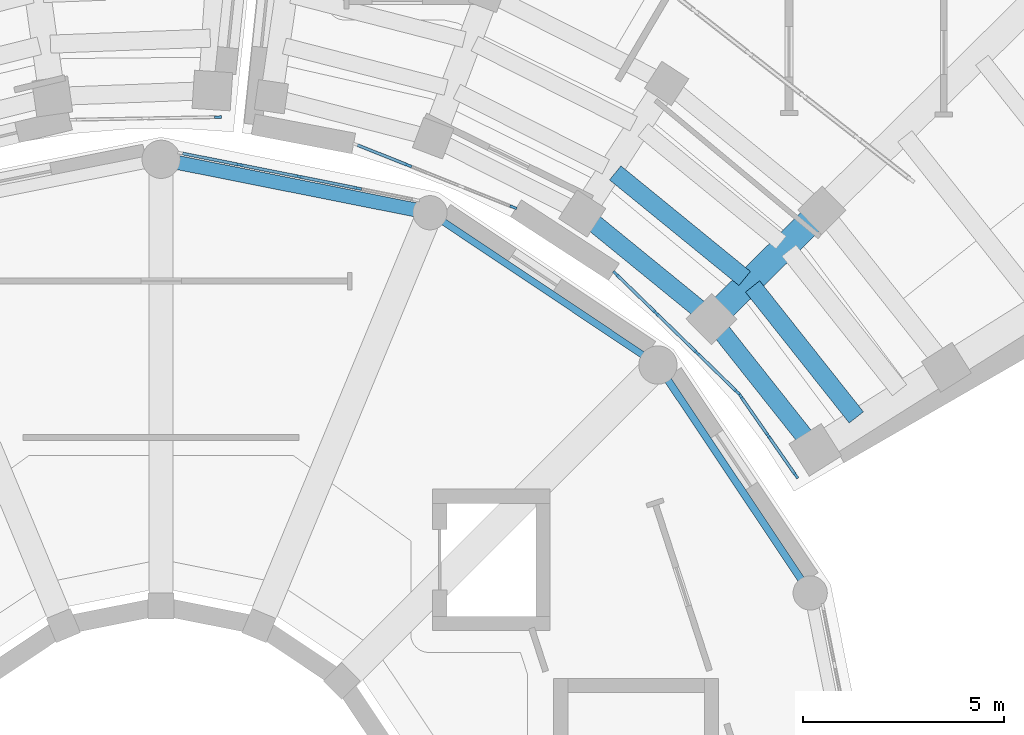
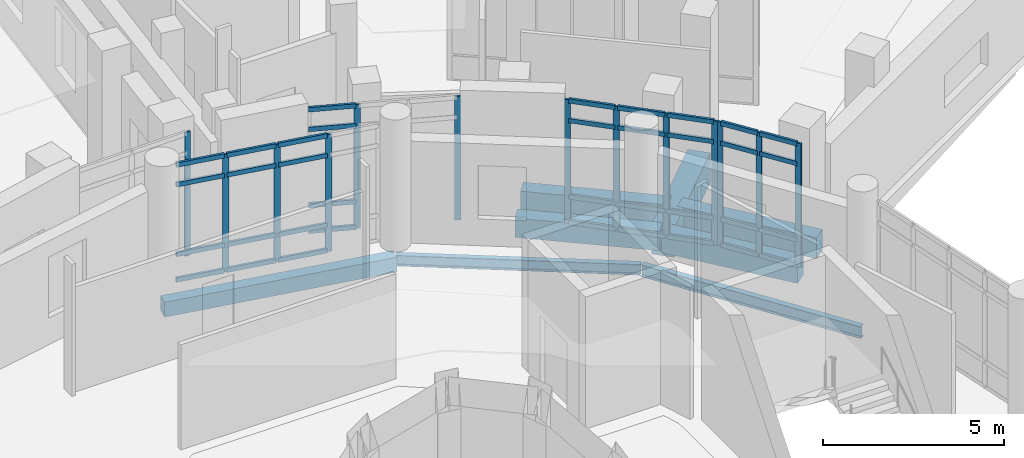
# One storey, part 21 of 75: 49 members, 8 beams, 5 elements without a shape of their own.
"""IFC4 building model written with IfcOpenShell, lengths in metres."""

from ifc_helpers import new_model, si_unit, direction, frame, origin, origin_2d, place, context, subcontext, project, spatial, rectangle, i_section, extrude, material, material_profile, profile_set, type_object, element, aggregate, save


model = new_model("IFC4")

# Units and contexts
model_context = context("Model", 3, precision=1e-05, world=origin(), true_north=direction((0.0, 1.0)))
body_context = subcontext(model_context, "Body", "Model", "MODEL_VIEW")
ifc_project = project(units=[si_unit("LENGTHUNIT", "METRE"), si_unit("AREAUNIT", "SQUARE_METRE"), si_unit("VOLUMEUNIT", "CUBIC_METRE"), si_unit("PLANEANGLEUNIT", "RADIAN"), si_unit("MASSUNIT", "GRAM", prefix="KILO")], contexts=[model_context])

# Site, building, storey
site_placement = place(None, origin())
site = spatial("IfcSite", under=ifc_project, at=site_placement, CompositionType="ELEMENT")
building_placement = place(site_placement, origin())
building = spatial("IfcBuilding", under=site, at=building_placement, Name="Soyqirgoq Riverine Aquarium", CompositionType="ELEMENT")
storey_placement = place(building_placement, frame((0.0, 0.0, 10.199951171875)))
storey = spatial("IfcBuildingStorey", under=building, at=storey_placement, Name="L03", CompositionType="ELEMENT", Elevation=10.199951171875)

# Beams
ifc_material_1 = material(Name="Concrete C40/50", Category="concrete")
ifc_material_profile_1 = material_profile(ifc_material_1, rectangle(XDim=0.449951171875, YDim=0.64990234375, at=origin_2d()), Name="RC 450x650")
ifc_profile_set_1 = profile_set([ifc_material_profile_1], Name="Concrete C40/50")
beam_type_1 = type_object("IfcBeamType", Name="Beam_RC_450x650", PredefinedType="BEAM", material=ifc_profile_set_1)
beam_1_placement = place(storey_placement, frame((69.632080078125, 70.512939453125, -0.625), z_axis=(-0.774942773491, 0.632031405719, 0.0), x_axis=(-0.632031405719, -0.774942773491, 0.0)))
element("IfcBeam", 1, at=beam_1_placement, inside=storey, type_object=beam_type_1, Name="V5 L03 Wedge Chord Beam 0866", PredefinedType="BEAM", context=body_context, shape_type="SweptSolid", body=[
    extrude(rectangle(XDim=0.449951171875, YDim=0.64990234375, at=origin_2d()), origin(), (0.0, 0.0, 1.0), 4.047119140625),
])
beam_2_placement = place(storey_placement, frame((70.494384765625, 71.489013671875, -0.625), z_axis=(-0.774939332503, 0.63203562474, 0.0), x_axis=(-0.63203562474, -0.774939332503, 0.0)))
element("IfcBeam", 2, at=beam_2_placement, inside=storey, type_object=beam_type_1, Name="V5 L03 Secondary Floor Joist 0871", PredefinedType="BEAM", context=body_context, shape_type="SweptSolid", body=[
    extrude(rectangle(XDim=0.449951171875, YDim=0.64990234375, at=origin_2d()), origin(), (0.0, 0.0, 1.0), 4.149658203125),
])
ifc_material_2 = material(Name="Concrete C40/50", Category="concrete")
ifc_material_profile_2 = material_profile(ifc_material_2, rectangle(XDim=0.449951171875, YDim=0.699951171875, at=origin_2d()), Name="RC 450x700")
ifc_profile_set_2 = profile_set([ifc_material_profile_2], Name="Concrete C40/50")
beam_type_2 = type_object("IfcBeamType", Name="Beam_RC_450x700", PredefinedType="BEAM", material=ifc_profile_set_2)
beam_3_placement = place(storey_placement, frame((72.2158203125, 67.2705078125, -0.64990234375), z_axis=(-0.621164833429, 0.783679940863, 0.0), x_axis=(-0.783679940863, -0.621164833429, 0.0)))
element("IfcBeam", 3, at=beam_3_placement, inside=storey, type_object=beam_type_2, Name="V5 L03 Wedge Chord Beam 0865", PredefinedType="BEAM", context=body_context, shape_type="SweptSolid", body=[
    extrude(rectangle(XDim=0.449951171875, YDim=0.699951171875, at=origin_2d()), origin(), (0.0, 0.0, 1.0), 4.047119140625),
])
beam_4_placement = place(storey_placement, frame((73.267578125, 68.03857421875, -0.64990234375), z_axis=(-0.621144365727, 0.783696163653, 0.0), x_axis=(-0.783696163653, -0.621144365727, 0.0)))
element("IfcBeam", 4, at=beam_4_placement, inside=storey, type_object=beam_type_2, Name="V5 L03 Secondary Floor Joist 0869", PredefinedType="BEAM", context=body_context, shape_type="SweptSolid", body=[
    extrude(rectangle(XDim=0.449951171875, YDim=0.699951171875, at=origin_2d()), origin(), (0.0, 0.0, 1.0), 4.14990234375),
])

# Curtain wall, members
ifc_material_3 = material(Name="Anodised aluminium thermally broken triple low-E glazing", Category="aluminium")
curtain_wall_type_1 = type_object("IfcCurtainWallType", Name="CW_DrumGallery_Unitised", PredefinedType="NOTDEFINED", material=ifc_material_3)
curtain_wall_1_placement = place(storey_placement, origin())
curtain_wall_1 = element("IfcCurtainWall", 5, at=curtain_wall_1_placement, inside=storey, type_object=curtain_wall_type_1, Name="V1 L03 Curtain Wall 014", PredefinedType="NOTDEFINED")
ifc_material_4 = material(Name="Anodised aluminium 6063-T6", Category="aluminium")
ifc_material_profile_3 = material_profile(ifc_material_4, rectangle(XDim=0.06494140625, YDim=0.179931640625, at=origin_2d()), Name="ALU-M 65x180")
ifc_profile_set_3 = profile_set([ifc_material_profile_3], Name="Anodised aluminium 6063-T6")
member_type_1 = type_object("IfcMemberType", Name="CWMullion_65x180", PredefinedType="MULLION", material=ifc_profile_set_3)
member_1_placement = place(storey_placement, frame((60.888427734375, 73.7275390625, 0.0), z_axis=(0.0, 0.0, 1.0), x_axis=(-0.195094927919, -0.980784364221, 0.0)))
member_1 = element("IfcMember", 6, at=member_1_placement, type_object=member_type_1, Name="CW-01 mullion 2", PredefinedType="MULLION", context=body_context, shape_type="SweptSolid", body=[
    extrude(rectangle(XDim=0.06494140625, YDim=0.179931640625, at=origin_2d()), origin(), (0.0, 0.0, 1.0), 3.949951171875),
])
member_2_placement = place(storey_placement, frame((59.415283203125, 74.020751953125, 0.0), z_axis=(0.0, 0.0, 1.0), x_axis=(-0.195094927919, -0.980784364221, 0.0)))
member_2 = element("IfcMember", 7, at=member_2_placement, type_object=member_type_1, Name="CW-01 mullion 3", PredefinedType="MULLION", context=body_context, shape_type="SweptSolid", body=[
    extrude(rectangle(XDim=0.06494140625, YDim=0.179931640625, at=origin_2d()), origin(), (0.0, 0.0, 1.0), 3.949951171875),
])
member_3_placement = place(storey_placement, frame((57.942138671875, 74.313720703125, 0.0), z_axis=(0.0, 0.0, 1.0), x_axis=(-0.195094927919, -0.980784364221, 0.0)))
member_3 = element("IfcMember", 8, at=member_3_placement, type_object=member_type_1, Name="CW-01 mullion 4", PredefinedType="MULLION", context=body_context, shape_type="SweptSolid", body=[
    extrude(rectangle(XDim=0.06494140625, YDim=0.179931640625, at=origin_2d()), origin(), (0.0, 0.0, 1.0), 3.949951171875),
])

# Curtain wall, member
ifc_material_5 = material(Name="Anodised aluminium thermally broken double low-E glazing", Category="aluminium")
curtain_wall_type_2 = type_object("IfcCurtainWallType", Name="CW_Wedge_NorthBay", PredefinedType="NOTDEFINED", material=ifc_material_5)
curtain_wall_2_placement = place(storey_placement, origin())
curtain_wall_2 = element("IfcCurtainWall", 9, at=curtain_wall_2_placement, inside=storey, type_object=curtain_wall_type_2, Name="V4 L03 Curtain Wall 090", PredefinedType="NOTDEFINED")
member_4_placement = place(storey_placement, frame((57.409423828125, 75.498046875, 0.0), z_axis=(0.0, 0.0, 1.0), x_axis=(0.018005266273, -0.999837892054, 0.0)))
member_4 = element("IfcMember", 10, at=member_4_placement, type_object=member_type_1, Name="CW-03 mullion 1", PredefinedType="MULLION", context=body_context, shape_type="SweptSolid", body=[
    extrude(rectangle(XDim=0.06494140625, YDim=0.179931640625, at=origin_2d()), origin(), (0.0, 0.0, 1.0), 4.170166015625),
])
aggregate(curtain_wall_2, [member_4])

# Curtain wall, members
curtain_wall_3_placement = place(storey_placement, origin())
curtain_wall_3 = element("IfcCurtainWall", 11, at=curtain_wall_3_placement, inside=storey, type_object=curtain_wall_type_2, Name="V5 L03 Curtain Wall 096", PredefinedType="NOTDEFINED")
member_5_placement = place(storey_placement, frame((70.302001953125, 68.67431640625, 0.0), z_axis=(0.0, 0.0, 1.0), x_axis=(-0.697789725997, -0.716302658304, 0.0)))
member_5 = element("IfcMember", 12, at=member_5_placement, type_object=member_type_1, Name="CW-03 mullion 1", PredefinedType="MULLION", context=body_context, shape_type="SweptSolid", body=[
    extrude(rectangle(XDim=0.06494140625, YDim=0.179931640625, at=origin_2d()), origin(), (0.0, 0.0, 1.0), 4.170166015625),
])
member_6_placement = place(storey_placement, frame((69.307861328125, 69.642822265625, 0.0), z_axis=(0.0, 0.0, 1.0), x_axis=(-0.697789725997, -0.716302658304, 0.0)))
member_6 = element("IfcMember", 13, at=member_6_placement, type_object=member_type_1, Name="CW-03 mullion 2", PredefinedType="MULLION", context=body_context, shape_type="SweptSolid", body=[
    extrude(rectangle(XDim=0.06494140625, YDim=0.179931640625, at=origin_2d()), origin(), (0.0, 0.0, 1.0), 4.170166015625),
])
member_7_placement = place(storey_placement, frame((68.290283203125, 70.63427734375, 0.0), z_axis=(0.0, 0.0, 1.0), x_axis=(-0.697789725997, -0.716302658304, 0.0)))
member_7 = element("IfcMember", 14, at=member_7_placement, type_object=member_type_1, Name="CW-03 mullion 3", PredefinedType="MULLION", context=body_context, shape_type="SweptSolid", body=[
    extrude(rectangle(XDim=0.06494140625, YDim=0.179931640625, at=origin_2d()), origin(), (0.0, 0.0, 1.0), 4.170166015625),
])
member_8_placement = place(storey_placement, frame((67.2958984375, 71.602783203125, 0.0), z_axis=(0.0, 0.0, 1.0), x_axis=(-0.697789725997, -0.716302658304, 0.0)))
member_8 = element("IfcMember", 15, at=member_8_placement, type_object=member_type_1, Name="CW-03 mullion 4", PredefinedType="MULLION", context=body_context, shape_type="SweptSolid", body=[
    extrude(rectangle(XDim=0.06494140625, YDim=0.179931640625, at=origin_2d()), origin(), (0.0, 0.0, 1.0), 4.170166015625),
])

curtain_wall_4_placement = place(storey_placement, origin())
curtain_wall_4 = element("IfcCurtainWall", 16, at=curtain_wall_4_placement, inside=storey, type_object=curtain_wall_type_2, Name="V5 L03 Curtain Wall 097", PredefinedType="NOTDEFINED")
member_9_placement = place(storey_placement, frame((64.745849609375, 73.2587890625, 0.0), z_axis=(0.0, 0.0, 1.0), x_axis=(-0.37056928591, -0.928804825752, 0.0)))
member_9 = element("IfcMember", 17, at=member_9_placement, type_object=member_type_1, Name="CW-03 mullion 1", PredefinedType="MULLION", context=body_context, shape_type="SweptSolid", body=[
    extrude(rectangle(XDim=0.06494140625, YDim=0.179931640625, at=origin_2d()), origin(), (0.0, 0.0, 1.0), 4.170166015625),
])
member_10_placement = place(storey_placement, frame((62.136962890625, 74.299560546875, 0.0), z_axis=(0.0, 0.0, 1.0), x_axis=(-0.37056928591, -0.928804825752, 0.0)))
member_10 = element("IfcMember", 18, at=member_10_placement, type_object=member_type_1, Name="CW-03 mullion 3", PredefinedType="MULLION", context=body_context, shape_type="SweptSolid", body=[
    extrude(rectangle(XDim=0.06494140625, YDim=0.179931640625, at=origin_2d()), origin(), (0.0, 0.0, 1.0), 4.170166015625),
])

curtain_wall_5_placement = place(storey_placement, origin())
curtain_wall_5 = element("IfcCurtainWall", 19, at=curtain_wall_5_placement, inside=storey, type_object=curtain_wall_type_2, Name="V5 L03 Curtain Wall 098", PredefinedType="NOTDEFINED")
member_11_placement = place(storey_placement, frame((71.761962890625, 66.599365234375, 0.0), z_axis=(0.0, 0.0, 1.0), x_axis=(-0.820955773549, -0.570991784421, 0.0)))
member_11 = element("IfcMember", 20, at=member_11_placement, type_object=member_type_1, Name="CW-03 mullion 1", PredefinedType="MULLION", context=body_context, shape_type="SweptSolid", body=[
    extrude(rectangle(XDim=0.06494140625, YDim=0.179931640625, at=origin_2d()), origin(), (0.0, 0.0, 1.0), 4.170166015625),
])
member_12_placement = place(storey_placement, frame((71.078857421875, 67.581787109375, 0.0), z_axis=(0.0, 0.0, 1.0), x_axis=(-0.820955773549, -0.570991784421, 0.0)))
member_12 = element("IfcMember", 21, at=member_12_placement, type_object=member_type_1, Name="CW-03 mullion 2", PredefinedType="MULLION", context=body_context, shape_type="SweptSolid", body=[
    extrude(rectangle(XDim=0.06494140625, YDim=0.179931640625, at=origin_2d()), origin(), (0.0, 0.0, 1.0), 4.170166015625),
])
member_13_placement = place(storey_placement, frame((70.3955078125, 68.564208984375, 0.0), z_axis=(0.0, 0.0, 1.0), x_axis=(-0.820955773549, -0.570991784421, 0.0)))
member_13 = element("IfcMember", 22, at=member_13_placement, type_object=member_type_1, Name="CW-03 mullion 3", PredefinedType="MULLION", context=body_context, shape_type="SweptSolid", body=[
    extrude(rectangle(XDim=0.06494140625, YDim=0.179931640625, at=origin_2d()), origin(), (0.0, 0.0, 1.0), 4.170166015625),
])

# Member
ifc_material_6 = material(Name="Anodised aluminium 6063-T6", Category="aluminium")
ifc_material_profile_4 = material_profile(ifc_material_6, rectangle(XDim=0.074951171875, YDim=0.14990234375, at=origin_2d()), Name="ALU-T 75x150")
ifc_profile_set_4 = profile_set([ifc_material_profile_4], Name="Anodised aluminium 6063-T6")
member_type_2 = type_object("IfcMemberType", Name="CWTransom_75x150", PredefinedType="USERDEFINED", material=ifc_profile_set_4)
member_14_placement = place(storey_placement, frame((60.8564453125, 73.73388671875, 0.03759765625), z_axis=(-0.980756730309, 0.195233798185, 0.0), x_axis=(-0.195233798185, -0.980756730309, 0.0)))
member_14 = element("IfcMember", 23, at=member_14_placement, type_object=member_type_2, Name="CW-01 transom 2.1", ObjectType="TRANSOM", PredefinedType="USERDEFINED", context=body_context, shape_type="SweptSolid", body=[
    extrude(rectangle(XDim=0.074951171875, YDim=0.14990234375, at=origin_2d()), origin(), (0.0, 0.0, 1.0), 1.436767578125),
])

member_15_placement = place(storey_placement, frame((60.8564453125, 73.73388671875, 0.900146484375), z_axis=(-0.980756730309, 0.195233798185, 0.0), x_axis=(-0.195233798185, -0.980756730309, 0.0)))
member_15 = element("IfcMember", 24, at=member_15_placement, type_object=member_type_2, Name="CW-01 transom 2.2", ObjectType="TRANSOM", PredefinedType="USERDEFINED", context=body_context, shape_type="SweptSolid", body=[
    extrude(rectangle(XDim=0.074951171875, YDim=0.14990234375, at=origin_2d()), origin(), (0.0, 0.0, 1.0), 1.436767578125),
])

member_16_placement = place(storey_placement, frame((60.8564453125, 73.73388671875, 3.25), z_axis=(-0.980756730309, 0.195233798185, 0.0), x_axis=(-0.195233798185, -0.980756730309, 0.0)))
member_16 = element("IfcMember", 25, at=member_16_placement, type_object=member_type_2, Name="CW-01 transom 2.3", ObjectType="TRANSOM", PredefinedType="USERDEFINED", context=body_context, shape_type="SweptSolid", body=[
    extrude(rectangle(XDim=0.074951171875, YDim=0.14990234375, at=origin_2d()), origin(), (0.0, 0.0, 1.0), 1.436767578125),
])

member_17_placement = place(storey_placement, frame((60.8564453125, 73.73388671875, 3.91259765625), z_axis=(-0.980756730309, 0.195233798185, 0.0), x_axis=(-0.195233798185, -0.980756730309, 0.0)))
member_17 = element("IfcMember", 26, at=member_17_placement, type_object=member_type_2, Name="CW-01 transom 2.4", ObjectType="TRANSOM", PredefinedType="USERDEFINED", context=body_context, shape_type="SweptSolid", body=[
    extrude(rectangle(XDim=0.074951171875, YDim=0.14990234375, at=origin_2d()), origin(), (0.0, 0.0, 1.0), 1.436767578125),
])

member_18_placement = place(storey_placement, frame((59.383544921875, 74.027099609375, 0.03759765625), z_axis=(-0.980795717131, 0.195037845707, 0.0), x_axis=(-0.195037845707, -0.980795717131, 0.0)))
member_18 = element("IfcMember", 27, at=member_18_placement, type_object=member_type_2, Name="CW-01 transom 3.1", ObjectType="TRANSOM", PredefinedType="USERDEFINED", context=body_context, shape_type="SweptSolid", body=[
    extrude(rectangle(XDim=0.074951171875, YDim=0.14990234375, at=origin_2d()), origin(), (0.0, 0.0, 1.0), 1.43701171875),
])

member_19_placement = place(storey_placement, frame((59.383544921875, 74.027099609375, 0.900146484375), z_axis=(-0.980795717131, 0.195037845707, 0.0), x_axis=(-0.195037845707, -0.980795717131, 0.0)))
member_19 = element("IfcMember", 28, at=member_19_placement, type_object=member_type_2, Name="CW-01 transom 3.2", ObjectType="TRANSOM", PredefinedType="USERDEFINED", context=body_context, shape_type="SweptSolid", body=[
    extrude(rectangle(XDim=0.074951171875, YDim=0.14990234375, at=origin_2d()), origin(), (0.0, 0.0, 1.0), 1.43701171875),
])

member_20_placement = place(storey_placement, frame((59.383544921875, 74.027099609375, 3.25), z_axis=(-0.980795717131, 0.195037845707, 0.0), x_axis=(-0.195037845707, -0.980795717131, 0.0)))
member_20 = element("IfcMember", 29, at=member_20_placement, type_object=member_type_2, Name="CW-01 transom 3.3", ObjectType="TRANSOM", PredefinedType="USERDEFINED", context=body_context, shape_type="SweptSolid", body=[
    extrude(rectangle(XDim=0.074951171875, YDim=0.14990234375, at=origin_2d()), origin(), (0.0, 0.0, 1.0), 1.43701171875),
])

member_21_placement = place(storey_placement, frame((59.383544921875, 74.027099609375, 3.91259765625), z_axis=(-0.980795717131, 0.195037845707, 0.0), x_axis=(-0.195037845707, -0.980795717131, 0.0)))
member_21 = element("IfcMember", 30, at=member_21_placement, type_object=member_type_2, Name="CW-01 transom 3.4", ObjectType="TRANSOM", PredefinedType="USERDEFINED", context=body_context, shape_type="SweptSolid", body=[
    extrude(rectangle(XDim=0.074951171875, YDim=0.14990234375, at=origin_2d()), origin(), (0.0, 0.0, 1.0), 1.43701171875),
])

member_22_placement = place(storey_placement, frame((57.910400390625, 74.320068359375, 0.03759765625), z_axis=(-0.980794046625, 0.195046246068, 0.0), x_axis=(-0.195046246068, -0.980794046625, 0.0)))
member_22 = element("IfcMember", 31, at=member_22_placement, type_object=member_type_2, Name="CW-01 transom 4.1", ObjectType="TRANSOM", PredefinedType="USERDEFINED", context=body_context, shape_type="SweptSolid", body=[
    extrude(rectangle(XDim=0.074951171875, YDim=0.14990234375, at=origin_2d()), origin(), (0.0, 0.0, 1.0), 1.404296875),
])

member_23_placement = place(storey_placement, frame((57.910400390625, 74.320068359375, 0.900146484375), z_axis=(-0.980794046625, 0.195046246068, 0.0), x_axis=(-0.195046246068, -0.980794046625, 0.0)))
member_23 = element("IfcMember", 32, at=member_23_placement, type_object=member_type_2, Name="CW-01 transom 4.2", ObjectType="TRANSOM", PredefinedType="USERDEFINED", context=body_context, shape_type="SweptSolid", body=[
    extrude(rectangle(XDim=0.074951171875, YDim=0.14990234375, at=origin_2d()), origin(), (0.0, 0.0, 1.0), 1.404296875),
])

member_24_placement = place(storey_placement, frame((57.910400390625, 74.320068359375, 3.25), z_axis=(-0.980794046625, 0.195046246068, 0.0), x_axis=(-0.195046246068, -0.980794046625, 0.0)))
member_24 = element("IfcMember", 33, at=member_24_placement, type_object=member_type_2, Name="CW-01 transom 4.3", ObjectType="TRANSOM", PredefinedType="USERDEFINED", context=body_context, shape_type="SweptSolid", body=[
    extrude(rectangle(XDim=0.074951171875, YDim=0.14990234375, at=origin_2d()), origin(), (0.0, 0.0, 1.0), 1.404296875),
])

member_25_placement = place(storey_placement, frame((57.910400390625, 74.320068359375, 3.91259765625), z_axis=(-0.980794046625, 0.195046246068, 0.0), x_axis=(-0.195046246068, -0.980794046625, 0.0)))
member_25 = element("IfcMember", 34, at=member_25_placement, type_object=member_type_2, Name="CW-01 transom 4.4", ObjectType="TRANSOM", PredefinedType="USERDEFINED", context=body_context, shape_type="SweptSolid", body=[
    extrude(rectangle(XDim=0.074951171875, YDim=0.14990234375, at=origin_2d()), origin(), (0.0, 0.0, 1.0), 1.404296875),
])

aggregate(curtain_wall_1, [member_1, member_2, member_3, member_14, member_15, member_16, member_17, member_18, member_19, member_20, member_21, member_22, member_23, member_24, member_25])

member_26_placement = place(storey_placement, frame((70.27880859375, 68.697021484375, 0.03759765625), z_axis=(-0.716364381709, 0.697726359413, 0.0), x_axis=(-0.697726359413, -0.716364381709, 0.0)))
member_26 = element("IfcMember", 35, at=member_26_placement, type_object=member_type_2, Name="CW-03 transom 1.1", ObjectType="TRANSOM", PredefinedType="USERDEFINED", context=body_context, shape_type="SweptSolid", body=[
    extrude(rectangle(XDim=0.074951171875, YDim=0.14990234375, at=origin_2d()), origin(), (0.0, 0.0, 1.0), 1.322998046875),
])

member_27_placement = place(storey_placement, frame((70.27880859375, 68.697021484375, 0.900146484375), z_axis=(-0.716364381709, 0.697726359413, 0.0), x_axis=(-0.697726359413, -0.716364381709, 0.0)))
member_27 = element("IfcMember", 36, at=member_27_placement, type_object=member_type_2, Name="CW-03 transom 1.2", ObjectType="TRANSOM", PredefinedType="USERDEFINED", context=body_context, shape_type="SweptSolid", body=[
    extrude(rectangle(XDim=0.074951171875, YDim=0.14990234375, at=origin_2d()), origin(), (0.0, 0.0, 1.0), 1.322998046875),
])

member_28_placement = place(storey_placement, frame((70.27880859375, 68.697021484375, 3.469970703125), z_axis=(-0.716364381709, 0.697726359413, 0.0), x_axis=(-0.697726359413, -0.716364381709, 0.0)))
member_28 = element("IfcMember", 37, at=member_28_placement, type_object=member_type_2, Name="CW-03 transom 1.3", ObjectType="TRANSOM", PredefinedType="USERDEFINED", context=body_context, shape_type="SweptSolid", body=[
    extrude(rectangle(XDim=0.074951171875, YDim=0.14990234375, at=origin_2d()), origin(), (0.0, 0.0, 1.0), 1.322998046875),
])

member_29_placement = place(storey_placement, frame((70.27880859375, 68.697021484375, 4.132568359375), z_axis=(-0.716364381709, 0.697726359413, 0.0), x_axis=(-0.697726359413, -0.716364381709, 0.0)))
member_29 = element("IfcMember", 38, at=member_29_placement, type_object=member_type_2, Name="CW-03 transom 1.4", ObjectType="TRANSOM", PredefinedType="USERDEFINED", context=body_context, shape_type="SweptSolid", body=[
    extrude(rectangle(XDim=0.074951171875, YDim=0.14990234375, at=origin_2d()), origin(), (0.0, 0.0, 1.0), 1.322998046875),
])

member_30_placement = place(storey_placement, frame((69.284423828125, 69.66552734375, 0.03759765625), z_axis=(-0.716231896253, 0.697862358054, 0.0), x_axis=(-0.697862358054, -0.716231896253, 0.0)))
member_30 = element("IfcMember", 39, at=member_30_placement, type_object=member_type_2, Name="CW-03 transom 2.1", ObjectType="TRANSOM", PredefinedType="USERDEFINED", context=body_context, shape_type="SweptSolid", body=[
    extrude(rectangle(XDim=0.074951171875, YDim=0.14990234375, at=origin_2d()), origin(), (0.0, 0.0, 1.0), 1.355712890625),
])

member_31_placement = place(storey_placement, frame((69.284423828125, 69.66552734375, 0.900146484375), z_axis=(-0.716231896253, 0.697862358054, 0.0), x_axis=(-0.697862358054, -0.716231896253, 0.0)))
member_31 = element("IfcMember", 40, at=member_31_placement, type_object=member_type_2, Name="CW-03 transom 2.2", ObjectType="TRANSOM", PredefinedType="USERDEFINED", context=body_context, shape_type="SweptSolid", body=[
    extrude(rectangle(XDim=0.074951171875, YDim=0.14990234375, at=origin_2d()), origin(), (0.0, 0.0, 1.0), 1.355712890625),
])

member_32_placement = place(storey_placement, frame((69.284423828125, 69.66552734375, 3.469970703125), z_axis=(-0.716231896253, 0.697862358054, 0.0), x_axis=(-0.697862358054, -0.716231896253, 0.0)))
member_32 = element("IfcMember", 41, at=member_32_placement, type_object=member_type_2, Name="CW-03 transom 2.3", ObjectType="TRANSOM", PredefinedType="USERDEFINED", context=body_context, shape_type="SweptSolid", body=[
    extrude(rectangle(XDim=0.074951171875, YDim=0.14990234375, at=origin_2d()), origin(), (0.0, 0.0, 1.0), 1.355712890625),
])

member_33_placement = place(storey_placement, frame((69.284423828125, 69.66552734375, 4.132568359375), z_axis=(-0.716231896253, 0.697862358054, 0.0), x_axis=(-0.697862358054, -0.716231896253, 0.0)))
member_33 = element("IfcMember", 42, at=member_33_placement, type_object=member_type_2, Name="CW-03 transom 2.4", ObjectType="TRANSOM", PredefinedType="USERDEFINED", context=body_context, shape_type="SweptSolid", body=[
    extrude(rectangle(XDim=0.074951171875, YDim=0.14990234375, at=origin_2d()), origin(), (0.0, 0.0, 1.0), 1.355712890625),
])

member_34_placement = place(storey_placement, frame((68.266845703125, 70.656982421875, 0.03759765625), z_axis=(-0.716364381709, 0.697726359413, 0.0), x_axis=(-0.697726359413, -0.716364381709, 0.0)))
member_34 = element("IfcMember", 43, at=member_34_placement, type_object=member_type_2, Name="CW-03 transom 3.1", ObjectType="TRANSOM", PredefinedType="USERDEFINED", context=body_context, shape_type="SweptSolid", body=[
    extrude(rectangle(XDim=0.074951171875, YDim=0.14990234375, at=origin_2d()), origin(), (0.0, 0.0, 1.0), 1.322998046875),
])

member_35_placement = place(storey_placement, frame((68.266845703125, 70.656982421875, 0.900146484375), z_axis=(-0.716364381709, 0.697726359413, 0.0), x_axis=(-0.697726359413, -0.716364381709, 0.0)))
member_35 = element("IfcMember", 44, at=member_35_placement, type_object=member_type_2, Name="CW-03 transom 3.2", ObjectType="TRANSOM", PredefinedType="USERDEFINED", context=body_context, shape_type="SweptSolid", body=[
    extrude(rectangle(XDim=0.074951171875, YDim=0.14990234375, at=origin_2d()), origin(), (0.0, 0.0, 1.0), 1.322998046875),
])

member_36_placement = place(storey_placement, frame((68.266845703125, 70.656982421875, 3.469970703125), z_axis=(-0.716364381709, 0.697726359413, 0.0), x_axis=(-0.697726359413, -0.716364381709, 0.0)))
member_36 = element("IfcMember", 45, at=member_36_placement, type_object=member_type_2, Name="CW-03 transom 3.3", ObjectType="TRANSOM", PredefinedType="USERDEFINED", context=body_context, shape_type="SweptSolid", body=[
    extrude(rectangle(XDim=0.074951171875, YDim=0.14990234375, at=origin_2d()), origin(), (0.0, 0.0, 1.0), 1.322998046875),
])

member_37_placement = place(storey_placement, frame((68.266845703125, 70.656982421875, 4.132568359375), z_axis=(-0.716364381709, 0.697726359413, 0.0), x_axis=(-0.697726359413, -0.716364381709, 0.0)))
member_37 = element("IfcMember", 46, at=member_37_placement, type_object=member_type_2, Name="CW-03 transom 3.4", ObjectType="TRANSOM", PredefinedType="USERDEFINED", context=body_context, shape_type="SweptSolid", body=[
    extrude(rectangle(XDim=0.074951171875, YDim=0.14990234375, at=origin_2d()), origin(), (0.0, 0.0, 1.0), 1.322998046875),
])

aggregate(curtain_wall_3, [member_5, member_6, member_7, member_8, member_26, member_27, member_28, member_29, member_30, member_31, member_32, member_33, member_34, member_35, member_36, member_37])

member_38_placement = place(storey_placement, frame((62.10693359375, 74.3115234375, 0.03759765625), z_axis=(-0.928769056553, 0.370658926225, 0.0), x_axis=(-0.370658926225, -0.928769056553, 0.0)))
member_38 = element("IfcMember", 47, at=member_38_placement, type_object=member_type_2, Name="CW-03 transom 3.1", ObjectType="TRANSOM", PredefinedType="USERDEFINED", context=body_context, shape_type="SweptSolid", body=[
    extrude(rectangle(XDim=0.074951171875, YDim=0.14990234375, at=origin_2d()), origin(), (0.0, 0.0, 1.0), 1.3232421875),
])

member_39_placement = place(storey_placement, frame((62.10693359375, 74.3115234375, 0.900146484375), z_axis=(-0.928769056553, 0.370658926225, 0.0), x_axis=(-0.370658926225, -0.928769056553, 0.0)))
member_39 = element("IfcMember", 48, at=member_39_placement, type_object=member_type_2, Name="CW-03 transom 3.2", ObjectType="TRANSOM", PredefinedType="USERDEFINED", context=body_context, shape_type="SweptSolid", body=[
    extrude(rectangle(XDim=0.074951171875, YDim=0.14990234375, at=origin_2d()), origin(), (0.0, 0.0, 1.0), 1.3232421875),
])

member_40_placement = place(storey_placement, frame((62.10693359375, 74.3115234375, 3.469970703125), z_axis=(-0.928769056553, 0.370658926225, 0.0), x_axis=(-0.370658926225, -0.928769056553, 0.0)))
member_40 = element("IfcMember", 49, at=member_40_placement, type_object=member_type_2, Name="CW-03 transom 3.3", ObjectType="TRANSOM", PredefinedType="USERDEFINED", context=body_context, shape_type="SweptSolid", body=[
    extrude(rectangle(XDim=0.074951171875, YDim=0.14990234375, at=origin_2d()), origin(), (0.0, 0.0, 1.0), 1.3232421875),
])

member_41_placement = place(storey_placement, frame((62.10693359375, 74.3115234375, 4.132568359375), z_axis=(-0.928769056553, 0.370658926225, 0.0), x_axis=(-0.370658926225, -0.928769056553, 0.0)))
member_41 = element("IfcMember", 50, at=member_41_placement, type_object=member_type_2, Name="CW-03 transom 3.4", ObjectType="TRANSOM", PredefinedType="USERDEFINED", context=body_context, shape_type="SweptSolid", body=[
    extrude(rectangle(XDim=0.074951171875, YDim=0.14990234375, at=origin_2d()), origin(), (0.0, 0.0, 1.0), 1.3232421875),
])

aggregate(curtain_wall_4, [member_9, member_10, member_38, member_39, member_40, member_41])

member_42_placement = place(storey_placement, frame((71.743408203125, 66.6259765625, 0.03759765625), z_axis=(-0.570925398177, 0.821001942578, 0.0), x_axis=(-0.821001942578, -0.570925398177, 0.0)))
member_42 = element("IfcMember", 51, at=member_42_placement, type_object=member_type_2, Name="CW-03 transom 1.1", ObjectType="TRANSOM", PredefinedType="USERDEFINED", context=body_context, shape_type="SweptSolid", body=[
    extrude(rectangle(XDim=0.074951171875, YDim=0.14990234375, at=origin_2d()), origin(), (0.0, 0.0, 1.0), 1.131591796875),
])

member_43_placement = place(storey_placement, frame((71.743408203125, 66.6259765625, 0.900146484375), z_axis=(-0.570925398177, 0.821001942578, 0.0), x_axis=(-0.821001942578, -0.570925398177, 0.0)))
member_43 = element("IfcMember", 52, at=member_43_placement, type_object=member_type_2, Name="CW-03 transom 1.2", ObjectType="TRANSOM", PredefinedType="USERDEFINED", context=body_context, shape_type="SweptSolid", body=[
    extrude(rectangle(XDim=0.074951171875, YDim=0.14990234375, at=origin_2d()), origin(), (0.0, 0.0, 1.0), 1.131591796875),
])

member_44_placement = place(storey_placement, frame((71.743408203125, 66.6259765625, 3.469970703125), z_axis=(-0.570925398177, 0.821001942578, 0.0), x_axis=(-0.821001942578, -0.570925398177, 0.0)))
member_44 = element("IfcMember", 53, at=member_44_placement, type_object=member_type_2, Name="CW-03 transom 1.3", ObjectType="TRANSOM", PredefinedType="USERDEFINED", context=body_context, shape_type="SweptSolid", body=[
    extrude(rectangle(XDim=0.074951171875, YDim=0.14990234375, at=origin_2d()), origin(), (0.0, 0.0, 1.0), 1.131591796875),
])

member_45_placement = place(storey_placement, frame((71.743408203125, 66.6259765625, 4.132568359375), z_axis=(-0.570925398177, 0.821001942578, 0.0), x_axis=(-0.821001942578, -0.570925398177, 0.0)))
member_45 = element("IfcMember", 54, at=member_45_placement, type_object=member_type_2, Name="CW-03 transom 1.4", ObjectType="TRANSOM", PredefinedType="USERDEFINED", context=body_context, shape_type="SweptSolid", body=[
    extrude(rectangle(XDim=0.074951171875, YDim=0.14990234375, at=origin_2d()), origin(), (0.0, 0.0, 1.0), 1.131591796875),
])

member_46_placement = place(storey_placement, frame((71.060302734375, 67.6083984375, 0.03759765625), z_axis=(-0.571070809304, 0.820900804459, 0.0), x_axis=(-0.820900804459, -0.571070809304, 0.0)))
member_46 = element("IfcMember", 55, at=member_46_placement, type_object=member_type_2, Name="CW-03 transom 2.1", ObjectType="TRANSOM", PredefinedType="USERDEFINED", context=body_context, shape_type="SweptSolid", body=[
    extrude(rectangle(XDim=0.074951171875, YDim=0.14990234375, at=origin_2d()), origin(), (0.0, 0.0, 1.0), 1.131591796875),
])

member_47_placement = place(storey_placement, frame((71.060302734375, 67.6083984375, 0.900146484375), z_axis=(-0.571070809304, 0.820900804459, 0.0), x_axis=(-0.820900804459, -0.571070809304, 0.0)))
member_47 = element("IfcMember", 56, at=member_47_placement, type_object=member_type_2, Name="CW-03 transom 2.2", ObjectType="TRANSOM", PredefinedType="USERDEFINED", context=body_context, shape_type="SweptSolid", body=[
    extrude(rectangle(XDim=0.074951171875, YDim=0.14990234375, at=origin_2d()), origin(), (0.0, 0.0, 1.0), 1.131591796875),
])

member_48_placement = place(storey_placement, frame((71.060302734375, 67.6083984375, 3.469970703125), z_axis=(-0.571070809304, 0.820900804459, 0.0), x_axis=(-0.820900804459, -0.571070809304, 0.0)))
member_48 = element("IfcMember", 57, at=member_48_placement, type_object=member_type_2, Name="CW-03 transom 2.3", ObjectType="TRANSOM", PredefinedType="USERDEFINED", context=body_context, shape_type="SweptSolid", body=[
    extrude(rectangle(XDim=0.074951171875, YDim=0.14990234375, at=origin_2d()), origin(), (0.0, 0.0, 1.0), 1.131591796875),
])

member_49_placement = place(storey_placement, frame((71.060302734375, 67.6083984375, 4.132568359375), z_axis=(-0.571070809304, 0.820900804459, 0.0), x_axis=(-0.820900804459, -0.571070809304, 0.0)))
member_49 = element("IfcMember", 58, at=member_49_placement, type_object=member_type_2, Name="CW-03 transom 2.4", ObjectType="TRANSOM", PredefinedType="USERDEFINED", context=body_context, shape_type="SweptSolid", body=[
    extrude(rectangle(XDim=0.074951171875, YDim=0.14990234375, at=origin_2d()), origin(), (0.0, 0.0, 1.0), 1.131591796875),
])

aggregate(curtain_wall_5, [member_11, member_12, member_13, member_42, member_43, member_44, member_45, member_46, member_47, member_48, member_49])

# Beams
ifc_material_7 = material(Name="Concrete C40/50", Category="concrete")
ifc_material_profile_5 = material_profile(ifc_material_7, rectangle(XDim=0.64990234375, YDim=1.0, at=origin_2d()), Name="RC 650x1000")
ifc_profile_set_5 = profile_set([ifc_material_profile_5], Name="Concrete C40/50")
beam_type_3 = type_object("IfcBeamType", Name="Girder_RC_650x1000", PredefinedType="BEAM", material=ifc_profile_set_5)
beam_5_placement = place(storey_placement, frame((69.70654296875, 70.516357421875, -0.800048828125), z_axis=(0.712037338503, 0.702141601514, 0.0), x_axis=(-0.702141601514, 0.712037338503, 0.0)))
element("IfcBeam", 59, at=beam_5_placement, inside=storey, type_object=beam_type_3, Name="V5 L03 Wedge Radial Girder 0854", PredefinedType="BEAM", context=body_context, shape_type="SweptSolid", body=[
    extrude(rectangle(XDim=0.64990234375, YDim=1.0, at=origin_2d()), origin(), (0.0, 0.0, 1.0), 3.75),
])
ifc_material_8 = material(Name="Concrete C40/50", Category="concrete")
ifc_material_profile_6 = material_profile(ifc_material_8, rectangle(XDim=0.35009765625, YDim=0.5, at=origin_2d()), Name="RC 350x500")
ifc_profile_set_6 = profile_set([ifc_material_profile_6], Name="Concrete C40/50")
beam_type_4 = type_object("IfcBeamType", Name="Spandrel_RC_350x500", PredefinedType="SPANDREL", material=ifc_profile_set_6)
beam_6_placement = place(storey_placement, frame((62.658203125, 73.12548828125, -0.599853515625), z_axis=(-0.980784073274, 0.195096390568, 0.0), x_axis=(-0.195096390568, -0.980784073274, 0.0)))
element("IfcBeam", 60, at=beam_6_placement, inside=storey, type_object=beam_type_4, Name="V1 L03 Drum Spandrel Beam 0065", PredefinedType="SPANDREL", context=body_context, shape_type="SweptSolid", body=[
    extrude(rectangle(XDim=0.35009765625, YDim=0.5, at=origin_2d()), origin(), (0.0, 0.0, 1.0), 6.768798828125),
])
ifc_material_9 = material(Name="Structural steel S355", Category="steel")
ifc_material_profile_7 = material_profile(ifc_material_9, i_section(OverallWidth=0.169921875, OverallDepth=0.360107421875, WebThickness=0.008056640625, FlangeThickness=0.0126953125, FilletRadius=0.01806640625, at=origin_2d()), Name="IPE 360")
ifc_profile_set_7 = profile_set([ifc_material_profile_7], Name="Structural steel S355")
beam_type_5 = type_object("IfcBeamType", Name="Spandrel_Steel_IPE360", PredefinedType="SPANDREL", material=ifc_profile_set_7)
beam_7_placement = place(storey_placement, frame((68.322509765625, 69.35009765625, -0.530029296875), z_axis=(-0.83147831173, 0.555557213186, 0.0), x_axis=(-0.555557213186, -0.83147831173, 0.0)))
element("IfcBeam", 61, at=beam_7_placement, inside=storey, type_object=beam_type_5, Name="V1 L03 Drum Spandrel Beam 0063", PredefinedType="SPANDREL", context=body_context, shape_type="SweptSolid", body=[
    extrude(i_section(OverallWidth=0.169921875, OverallDepth=0.360107421875, WebThickness=0.008056640625, FlangeThickness=0.0126953125, FilletRadius=0.01806640625, at=origin_2d()), origin(), (0.0, 0.0, 1.0), 6.768798828125),
])
ifc_material_10 = material(Name="Structural steel S355", Category="steel")
ifc_material_profile_8 = material_profile(ifc_material_10, i_section(OverallWidth=0.179931640625, OverallDepth=0.39990234375, WebThickness=0.008544921875, FlangeThickness=0.013427734375, FilletRadius=0.02099609375, at=origin_2d()), Name="IPE 400")
ifc_profile_set_8 = profile_set([ifc_material_profile_8], Name="Structural steel S355")
beam_type_6 = type_object("IfcBeamType", Name="Spandrel_Steel_IPE400", PredefinedType="SPANDREL", material=ifc_profile_set_8)
beam_8_placement = place(storey_placement, frame((72.110595703125, 63.6943359375, -0.550048828125), z_axis=(-0.555557213186, 0.83147831173, 0.0), x_axis=(-0.83147831173, -0.555557213186, 0.0)))
element("IfcBeam", 62, at=beam_8_placement, inside=storey, type_object=beam_type_6, Name="V1 L03 Drum Spandrel Beam 0062", PredefinedType="SPANDREL", context=body_context, shape_type="SweptSolid", body=[
    extrude(i_section(OverallWidth=0.179931640625, OverallDepth=0.39990234375, WebThickness=0.008544921875, FlangeThickness=0.013427734375, FilletRadius=0.02099609375, at=origin_2d()), origin(), (0.0, 0.0, 1.0), 6.768798828125),
])

save(model, "model.ifc")
